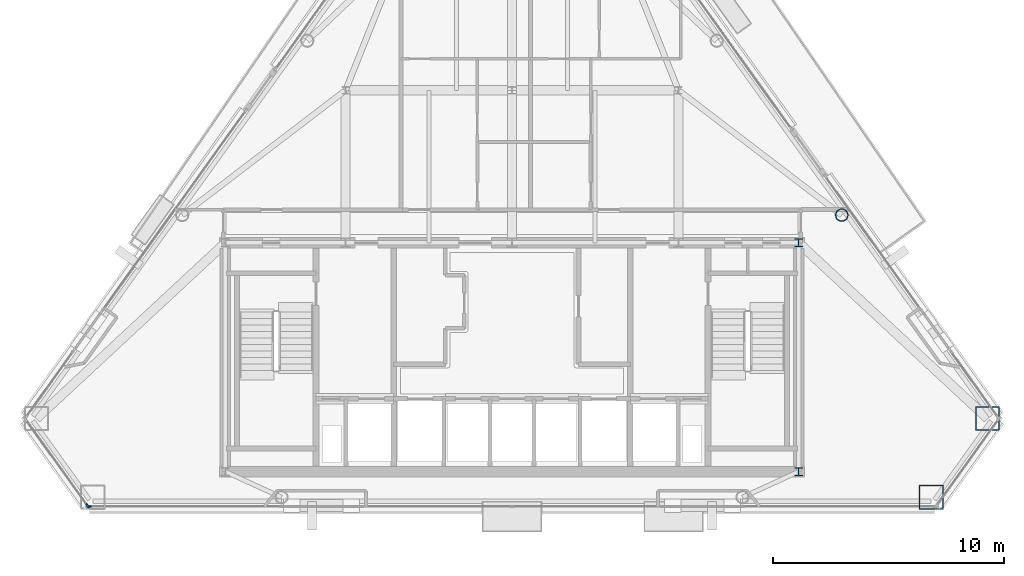
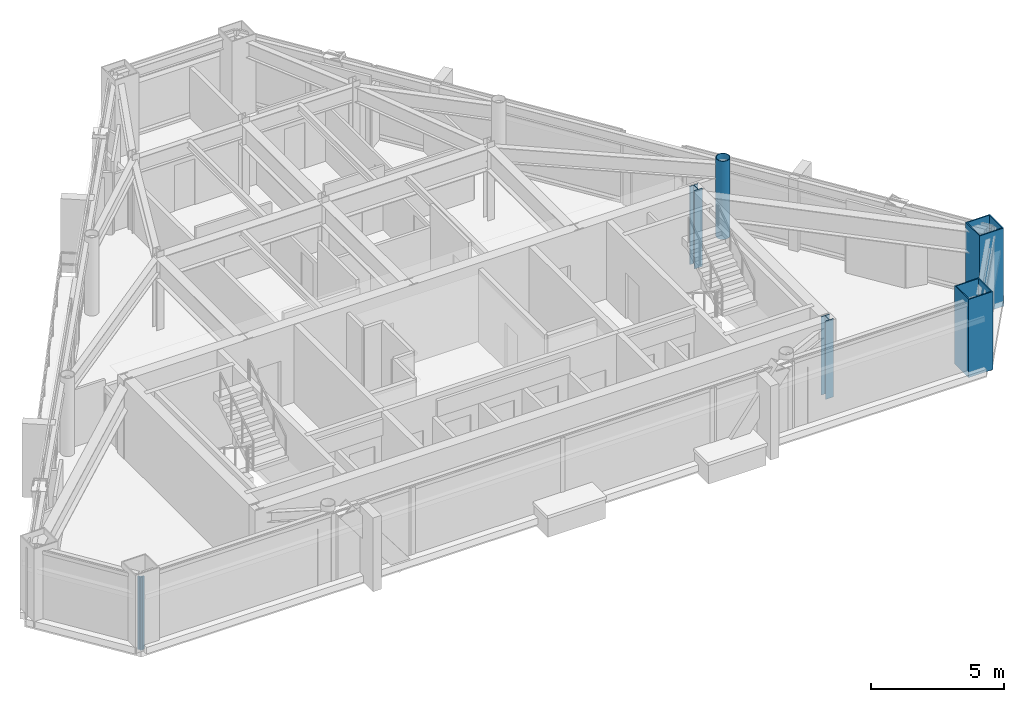
# One storey, part 2 of 11: 5 columns, 2 members, 2 elements without a shape of their own.
"""IFC4 building model written with IfcOpenShell, lengths in metres."""

from ifc_helpers import new_model, si_unit, direction, frame, origin, origin_2d, place, context, subcontext, project, spatial, rectangle, hollow_rectangle, hollow_circle, i_section, extrude, material, layer, layer_set, material_profile, profile_set, type_object, element, aggregate, save


model = new_model("IFC4")

# Units and contexts
model_context = context("Model", 3, precision=1e-05, world=origin(), true_north=direction((0.0, 1.0)))
body_context = subcontext(model_context, "Body", "Model", "MODEL_VIEW")
ifc_project = project(units=[si_unit("LENGTHUNIT", "METRE"), si_unit("AREAUNIT", "SQUARE_METRE"), si_unit("VOLUMEUNIT", "CUBIC_METRE"), si_unit("PLANEANGLEUNIT", "RADIAN"), si_unit("MASSUNIT", "GRAM", prefix="KILO")], contexts=[model_context])

# Site, building, storey
site_placement = place(None, origin())
site = spatial("IfcSite", under=ifc_project, at=site_placement, CompositionType="ELEMENT")
building_placement = place(site_placement, origin())
building = spatial("IfcBuilding", under=site, at=building_placement, Name="Talgorran Terracotta Tower", CompositionType="ELEMENT")
storey_placement = place(building_placement, frame((0.0, 0.0, 233.39990234375)))
storey = spatial("IfcBuildingStorey", under=building, at=storey_placement, Name="L61", CompositionType="ELEMENT", Elevation=233.39990234375)

# Columns
ifc_material_1 = material(Name="Steel S355 (300PLUS)", Category="steel")
ifc_material_profile_1 = material_profile(ifc_material_1, i_section(OverallWidth=0.35205078125, OverallDepth=0.35888671875, WebThickness=0.01806640625, FlangeThickness=0.02587890625, at=origin_2d()), Name="350WC197")
ifc_profile_set_1 = profile_set([ifc_material_profile_1], Name="Steel S355 (300PLUS)")
column_type_1 = type_object("IfcColumnType", Name="COL_350WC197", PredefinedType="COLUMN", material=ifc_profile_set_1)
for number, where, z_axis, x_axis, name in (
    (1, (12.39990234375, -14.10009765625, 0.0), (0.0, 0.0, 1.0), (1.0, 0.0, 0.0), "L61 Core Boundary Column CC2"),
    (2, (12.39990234375, -4.199951171875, 0.0), (0.0, 0.0, 1.0), (1.0, 0.0, 0.0), "L61 Core Boundary Column CC3"),
):
    element("IfcColumn", number, at=place(storey_placement, frame(where, z_axis=z_axis, x_axis=x_axis)), inside=storey, type_object=column_type_1, Name=name, PredefinedType="COLUMN", context=body_context, shape_type="SweptSolid", body=[
        extrude(i_section(OverallWidth=0.35205078125, OverallDepth=0.35888671875, WebThickness=0.01806640625, FlangeThickness=0.02587890625, at=origin_2d()), origin(), (0.0, 0.0, 1.0), 3.60009765625),
    ])
ifc_material_2 = material(Name="Steel Grade 350 (350L0)", Category="steel")
ifc_material_profile_2 = material_profile(ifc_material_2, hollow_rectangle(XDim=1.050048828125, YDim=1.050048828125, WallThickness=0.044921875, at=origin_2d()), Name="CFT1050X1050X45")
ifc_profile_set_2 = profile_set([ifc_material_profile_2], Name="Steel Grade 350 (350L0)")
column_type_2 = type_object("IfcColumnType", Name="COL_CFT_1050", PredefinedType="COLUMN", material=ifc_profile_set_2)
for number, where, z_axis, x_axis, name in (
    (3, (18.13720703125, -15.207763671875, 0.0), (0.0, 0.0, 1.0), (1.0, 0.0, 0.0), "L61 Corner CFT Mega-Column MC3"),
    (4, (20.5791015625, -11.802001953125, 0.0), (0.0, 0.0, 1.0), (1.0, 0.0, 0.0), "L61 Corner CFT Mega-Column MC4"),
):
    element("IfcColumn", number, at=place(storey_placement, frame(where, z_axis=z_axis, x_axis=x_axis)), inside=storey, type_object=column_type_2, Name=name, PredefinedType="COLUMN", context=body_context, shape_type="SweptSolid", body=[
        extrude(hollow_rectangle(XDim=1.050048828125, YDim=1.050048828125, WallThickness=0.044921875, at=origin_2d()), origin(), (0.0, 0.0, 1.0), 3.60009765625),
    ])
ifc_material_profile_3 = material_profile(ifc_material_2, hollow_circle(Radius=0.27490234375, WallThickness=0.02392578125, at=origin_2d()), Name="CHS550X24")
ifc_profile_set_3 = profile_set([ifc_material_profile_3], Name="Steel Grade 350 (350L0)")
column_type_3 = type_object("IfcColumnType", Name="COL_CHS_550", PredefinedType="COLUMN", material=ifc_profile_set_3)
column_placement = place(storey_placement, frame((14.26806640625, -2.999267578125, 0.0), z_axis=(0.0, 0.0, 1.0), x_axis=(1.0, 0.0, 0.0)))
element("IfcColumn", 5, at=column_placement, inside=storey, type_object=column_type_3, Name="L61 Facet Perimeter Column FC3", PredefinedType="COLUMN", context=body_context, shape_type="SweptSolid", body=[
    extrude(hollow_circle(Radius=0.27490234375, WallThickness=0.02392578125, at=origin_2d()), origin(), (0.0, 0.0, 1.0), 3.60009765625),
])

# Curtain wall, member
ifc_material_3 = material(Name="High-Wind Unitised Glazing", Category="glass")
ifc_layer = layer(ifc_material_3, 0.2099609375, Name="CW_SYS3_RES_HIGH")
ifc_layer_set = layer_set([ifc_layer], Name="High-Wind Unitised Glazing")
curtain_wall_type = type_object("IfcCurtainWallType", Name="CW_SYS3_RES_HIGH", PredefinedType="NOTDEFINED", material=ifc_layer_set)
curtain_wall_1_placement = place(storey_placement, origin())
curtain_wall_1 = element("IfcCurtainWall", 6, at=curtain_wall_1_placement, inside=storey, type_object=curtain_wall_type, Name="CW-L61-F0", PredefinedType="NOTDEFINED")
ifc_material_4 = material(Name="Architectural Aluminium 6063-T6", Category="aluminium")
ifc_material_profile_4 = material_profile(ifc_material_4, rectangle(XDim=0.070068359375, YDim=0.199951171875, at=origin_2d()), Name="CWM70X200")
ifc_profile_set_4 = profile_set([ifc_material_profile_4], Name="Architectural Aluminium 6063-T6")
member_type = type_object("IfcMemberType", Name="MUL_70X200", PredefinedType="MULLION", material=ifc_profile_set_4)
member_1_placement = place(storey_placement, frame((-18.363037109375, -15.579345703125, 0.0), z_axis=(0.0, 0.0, 1.0), x_axis=(0.812714993724, 0.582661427396, 0.0)))
member_1 = element("IfcMember", 7, at=member_1_placement, type_object=member_type, Name="CW-L61-0 mullion 2", PredefinedType="MULLION", context=body_context, shape_type="SweptSolid", body=[
    extrude(rectangle(XDim=0.070068359375, YDim=0.199951171875, at=origin_2d()), origin(), (0.0, 0.0, 1.0), 3.34521484375),
])
aggregate(curtain_wall_1, [member_1])

curtain_wall_2_placement = place(storey_placement, origin())
curtain_wall_2 = element("IfcCurtainWall", 8, at=curtain_wall_2_placement, inside=storey, type_object=curtain_wall_type, Name="CW-L61-F1", PredefinedType="NOTDEFINED")
member_2_placement = place(storey_placement, frame((-18.3076171875, -15.60791015625, 0.0), z_axis=(0.0, 0.0, 1.0), x_axis=(0.0, 1.0, 0.0)))
member_2 = element("IfcMember", 9, at=member_2_placement, type_object=member_type, Name="CW-L61-1 mullion 1", PredefinedType="MULLION", context=body_context, shape_type="SweptSolid", body=[
    extrude(rectangle(XDim=0.070068359375, YDim=0.199951171875, at=origin_2d()), origin(), (0.0, 0.0, 1.0), 3.34521484375),
])
aggregate(curtain_wall_2, [member_2])

save(model, "model.ifc")
